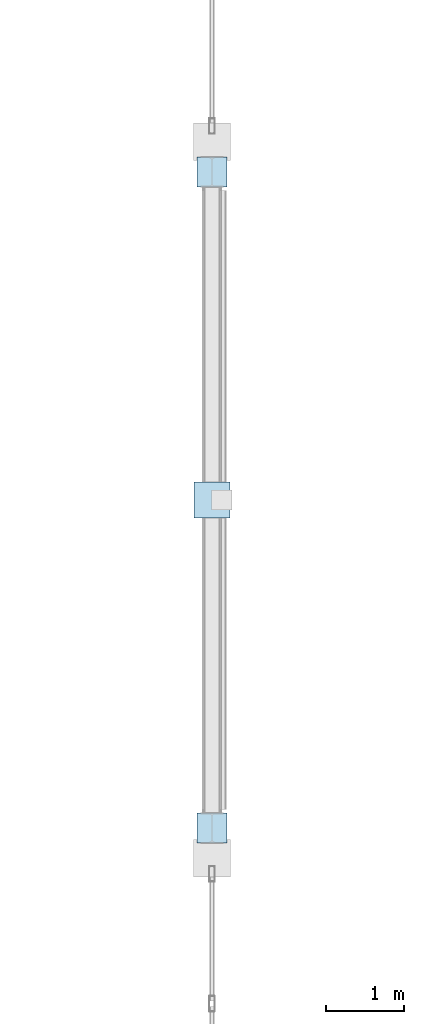
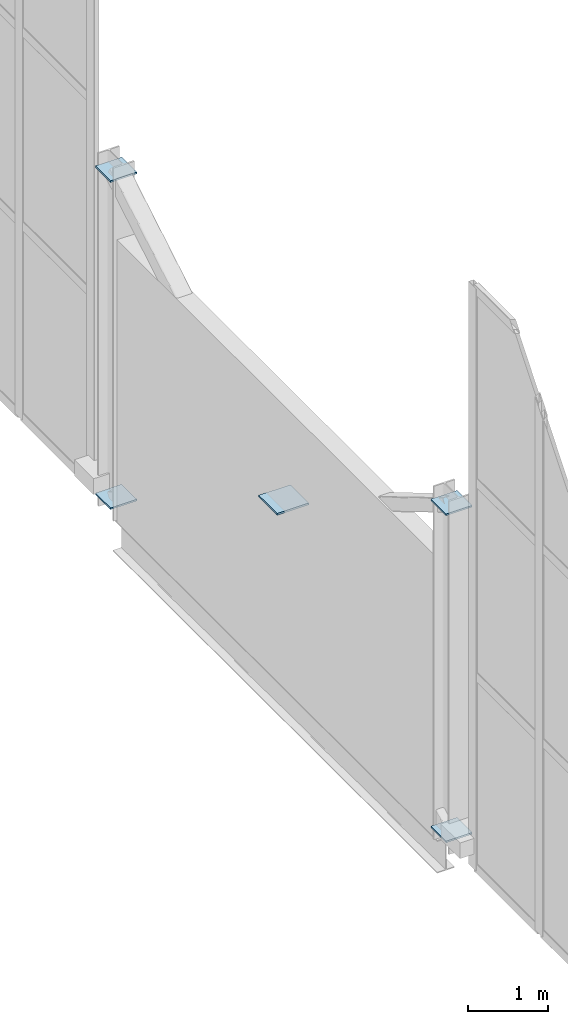
# One storey, part 127 of 175: 5 plates.
"""IFC4 building model written with IfcOpenShell, lengths in metres."""

from ifc_helpers import new_model, si_unit, direction, frame, origin, origin_2d, place, context, subcontext, project, spatial, rectangle, extrude, material, layer, layer_set, type_object, element, save


model = new_model("IFC4")

# Units and contexts
model_context = context("Model", 3, precision=1e-05, world=origin(), true_north=direction((0.0, 1.0)))
body_context = subcontext(model_context, "Body", "Model", "MODEL_VIEW")
ifc_project = project(units=[si_unit("LENGTHUNIT", "METRE"), si_unit("AREAUNIT", "SQUARE_METRE"), si_unit("VOLUMEUNIT", "CUBIC_METRE"), si_unit("PLANEANGLEUNIT", "RADIAN"), si_unit("MASSUNIT", "GRAM", prefix="KILO")], contexts=[model_context])

# Site, building, storey
site_placement = place(None, origin())
site = spatial("IfcSite", under=ifc_project, at=site_placement, CompositionType="ELEMENT")
building_placement = place(site_placement, origin())
building = spatial("IfcBuilding", under=site, at=building_placement, Name="Brelvane Convention Centre", CompositionType="ELEMENT")
storey_placement = place(building_placement, frame((0.0, 0.0, 5.39990234375)))
storey = spatial("IfcBuildingStorey", under=building, at=storey_placement, Name="L01", CompositionType="ELEMENT", Elevation=5.39990234375)

# Plates
ifc_material_1 = material(Name="Steel E450 (450 MPa)", Category="steel")
ifc_layer_1 = layer(ifc_material_1, 0.028076171875)
ifc_layer_set_1 = layer_set([ifc_layer_1], Name="Steel E450 (450 MPa)")
plate_type_1 = type_object("IfcPlateType", Name="Steel Node Gusset Plate ND-2", PredefinedType="SHEET", material=ifc_layer_set_1)
plate_placement = place(storey_placement, frame((224.39990234375, 123.0, 2.68603515625), z_axis=(0.0, 0.0, 1.0), x_axis=(1.0, 0.0, 0.0)))
element("IfcPlate", 1, at=plate_placement, inside=storey, type_object=plate_type_1, Name="X-Brace Central Gusset V3E-1-L01", PredefinedType="SHEET", context=body_context, shape_type="SweptSolid", body=[
    extrude(rectangle(XDim=0.4599609375, YDim=0.4599609375, at=origin_2d()), origin(), (0.0, 0.0, 1.0), 0.028076171875),
])
ifc_material_2 = material(Name="Steel E450 (450 MPa)", Category="steel")
ifc_layer_2 = layer(ifc_material_2, 0.02490234375)
ifc_layer_set_2 = layer_set([ifc_layer_2], Name="Steel E450 (450 MPa)")
plate_type_2 = type_object("IfcPlateType", Name="Steel Node Gusset Plate ND-3", PredefinedType="SHEET", material=ifc_layer_set_2)
for number, where, z_axis, x_axis, name in (
    (2, (224.39990234375, 118.800048828125, 0.187744140625), (0.0, 0.0, 1.0), (1.0, 0.0, 0.0), "X-Brace End Gusset V3E-1-L01-1"),
    (3, (224.39990234375, 127.199951171875, 5.187744140625), (0.0, 0.0, 1.0), (1.0, 0.0, 0.0), "X-Brace End Gusset V3E-1-L01-2"),
    (4, (224.39990234375, 127.199951171875, 0.187744140625), (0.0, 0.0, 1.0), (1.0, 0.0, 0.0), "X-Brace End Gusset V3E-1-L01-3"),
    (5, (224.39990234375, 118.800048828125, 5.187744140625), (0.0, 0.0, 1.0), (1.0, 0.0, 0.0), "X-Brace End Gusset V3E-1-L01-4"),
):
    element("IfcPlate", number, at=place(storey_placement, frame(where, z_axis=z_axis, x_axis=x_axis)), inside=storey, type_object=plate_type_2, Name=name, PredefinedType="SHEET", context=body_context, shape_type="SweptSolid", body=[
        extrude(rectangle(XDim=0.3798828125, YDim=0.3798828125, at=origin_2d()), origin(), (0.0, 0.0, 1.0), 0.02490234375),
    ])

save(model, "model.ifc")
